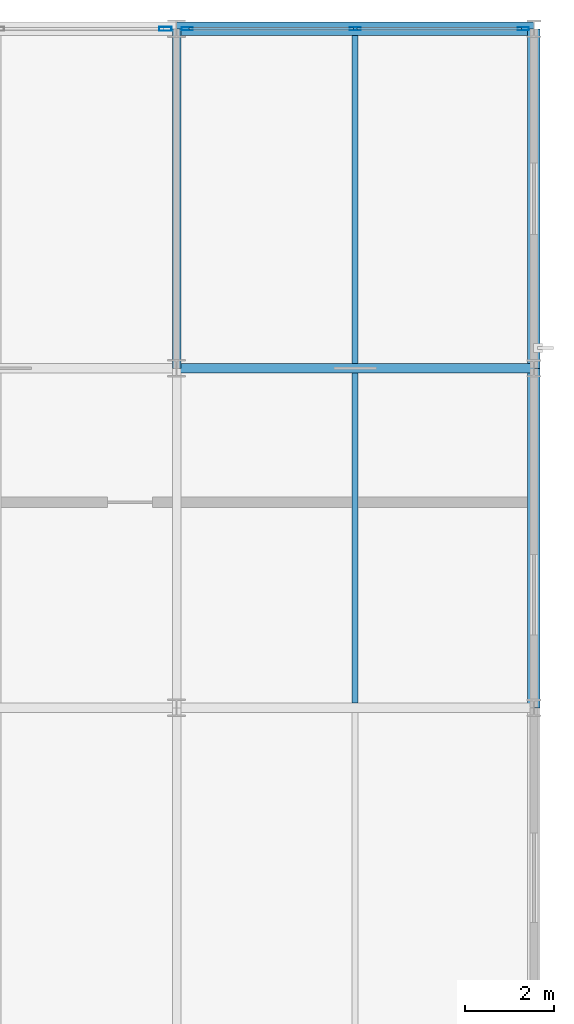
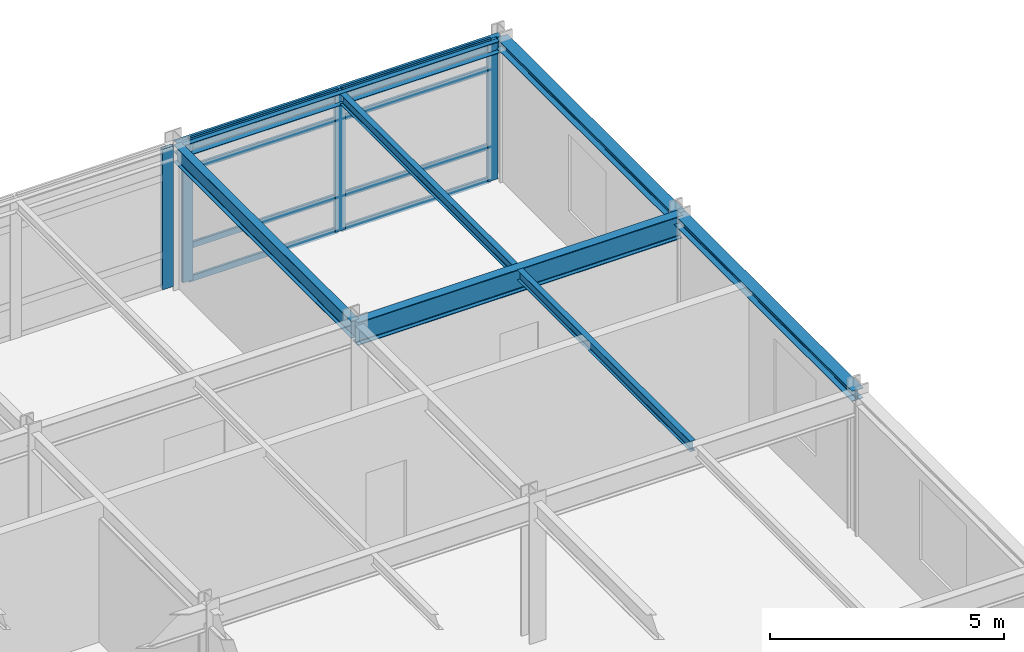
# One storey, part 9 of 18: 12 members, 7 beams, 2 elements without a shape of their own.
"""IFC4 building model written with IfcOpenShell, lengths in metres."""

from ifc_helpers import new_model, si_unit, direction, frame, origin, origin_2d, place, context, subcontext, project, spatial, hollow_rectangle, i_section, extrude, material, layer, layer_set, material_profile, profile_set, type_object, element, aggregate, save


model = new_model("IFC4")

# Units and contexts
model_context = context("Model", 3, precision=1e-05, world=origin(), true_north=direction((0.0, 1.0)))
body_context = subcontext(model_context, "Body", "Model", "MODEL_VIEW")
ifc_project = project(units=[si_unit("LENGTHUNIT", "METRE"), si_unit("AREAUNIT", "SQUARE_METRE"), si_unit("VOLUMEUNIT", "CUBIC_METRE"), si_unit("PLANEANGLEUNIT", "RADIAN"), si_unit("MASSUNIT", "GRAM", prefix="KILO")], contexts=[model_context])

# Site, building, storey
site_placement = place(None, origin())
site = spatial("IfcSite", under=ifc_project, at=site_placement, CompositionType="ELEMENT")
building_placement = place(site_placement, origin())
building = spatial("IfcBuilding", under=site, at=building_placement, Name="Shalkamar Park Central Library", CompositionType="ELEMENT")
storey_placement = place(building_placement, frame((0.0, 0.0, 24.300048828125)))
storey = spatial("IfcBuildingStorey", under=building, at=storey_placement, Name="L06", CompositionType="ELEMENT", Elevation=24.300048828125)

# Beams
ifc_material_1 = material(Name="Steel S355", Category="steel")
ifc_material_profile_1 = material_profile(ifc_material_1, i_section(OverallWidth=0.135009765625, OverallDepth=0.27001953125, WebThickness=0.006591796875, FlangeThickness=0.01025390625, FilletRadius=0.014892578125, at=origin_2d()), Name="IPE 270")
ifc_profile_set_1 = profile_set([ifc_material_profile_1], Name="Steel S355")
beam_type_1 = type_object("IfcBeamType", Name="Composite Floor Joist IPE270", PredefinedType="JOIST", material=ifc_profile_set_1)
beam_1_placement = place(storey_placement, frame((217.0, 278.10791015625, 3.52490234375), z_axis=(0.0, 1.0, 0.0), x_axis=(-1.0, 0.0, 0.0)))
element("IfcBeam", 1, at=beam_1_placement, inside=storey, type_object=beam_type_1, Name="Composite Joist 13/F-1 (L06)", PredefinedType="JOIST", context=body_context, shape_type="SweptSolid", body=[
    extrude(i_section(OverallWidth=0.135009765625, OverallDepth=0.27001953125, WebThickness=0.006591796875, FlangeThickness=0.01025390625, FilletRadius=0.014892578125, at=origin_2d()), origin(), (0.0, 0.0, 1.0), 7.384033203125),
])
beam_2_placement = place(storey_placement, frame((217.0, 285.7080078125, 3.52490234375), z_axis=(0.0, 1.0, 0.0), x_axis=(-1.0, 0.0, 0.0)))
element("IfcBeam", 2, at=beam_2_placement, inside=storey, type_object=beam_type_1, Name="Composite Joist 13/G-1 (L06)", PredefinedType="JOIST", context=body_context, shape_type="SweptSolid", body=[
    extrude(i_section(OverallWidth=0.135009765625, OverallDepth=0.27001953125, WebThickness=0.006591796875, FlangeThickness=0.01025390625, FilletRadius=0.014892578125, at=origin_2d()), origin(), (0.0, 0.0, 1.0), 7.343994140625),
])

# Curtain wall, members
ifc_material_2 = material(Name="Thermally broken aluminium and triple low-e curtain wall", Category="aluminium")
ifc_layer_1 = layer(ifc_material_2, 0.25)
ifc_layer_set_1 = layer_set([ifc_layer_1], Name="UnitisedCurtainWall_68")
curtain_wall_type_1 = type_object("IfcCurtainWallType", Name="Unitised Curtain Wall 68", PredefinedType="USERDEFINED", material=ifc_layer_set_1)
curtain_wall_1_placement = place(storey_placement, origin())
curtain_wall_1 = element("IfcCurtainWall", 3, at=curtain_wall_1_placement, inside=storey, type_object=curtain_wall_type_1, Name="Unitised Curtain Wall CW-L06-095", ObjectType="UNITISED CURTAIN WALL", PredefinedType="USERDEFINED")
ifc_material_3 = material(Name="Aluminium 6060-T66", Category="aluminium")
ifc_material_profile_2 = material_profile(ifc_material_3, hollow_rectangle(XDim=0.074951171875, YDim=0.25, WallThickness=0.00390625, InnerFilletRadius=0.00390625, OuterFilletRadius=0.006103515625, at=origin_2d()), Name="ALU 75x250x4")
ifc_profile_set_2 = profile_set([ifc_material_profile_2], Name="Aluminium 6060-T66")
member_type_1 = type_object("IfcMemberType", Name="Curtain Wall Mullion ALU75x250", PredefinedType="MULLION", material=ifc_profile_set_2)
member_1_placement = place(storey_placement, frame((213.240478515625, 293.199951171875, 0.0), z_axis=(0.0, 0.0, 1.0), x_axis=(0.0, 1.0, 0.0)))
member_1 = element("IfcMember", 4, at=member_1_placement, type_object=member_type_1, Name="CW-68 mullion 1", PredefinedType="MULLION", context=body_context, shape_type="SweptSolid", body=[
    extrude(hollow_rectangle(XDim=0.074951171875, YDim=0.25, WallThickness=0.00390625, InnerFilletRadius=0.00390625, OuterFilletRadius=0.006103515625, at=origin_2d()), origin(), (0.0, 0.0, 1.0), 3.659912109375),
])
member_2_placement = place(storey_placement, frame((217.000732421875, 293.199951171875, 0.0), z_axis=(0.0, 0.0, 1.0), x_axis=(0.0, 1.0, 0.0)))
member_2 = element("IfcMember", 5, at=member_2_placement, type_object=member_type_1, Name="CW-68 mullion 2", PredefinedType="MULLION", context=body_context, shape_type="SweptSolid", body=[
    extrude(hollow_rectangle(XDim=0.074951171875, YDim=0.25, WallThickness=0.00390625, InnerFilletRadius=0.00390625, OuterFilletRadius=0.006103515625, at=origin_2d()), origin(), (0.0, 0.0, 1.0), 3.659912109375),
])
member_3_placement = place(storey_placement, frame((220.760986328125, 293.199951171875, 0.0), z_axis=(0.0, 0.0, 1.0), x_axis=(0.0, 1.0, 0.0)))
member_3 = element("IfcMember", 6, at=member_3_placement, type_object=member_type_1, Name="CW-68 mullion 3", PredefinedType="MULLION", context=body_context, shape_type="SweptSolid", body=[
    extrude(hollow_rectangle(XDim=0.074951171875, YDim=0.25, WallThickness=0.00390625, InnerFilletRadius=0.00390625, OuterFilletRadius=0.006103515625, at=origin_2d()), origin(), (0.0, 0.0, 1.0), 3.659912109375),
])

# Curtain wall, member
ifc_layer_2 = layer(ifc_material_2, 0.280029296875)
ifc_layer_set_2 = layer_set([ifc_layer_2], Name="UnitisedCurtainWall_67")
curtain_wall_type_2 = type_object("IfcCurtainWallType", Name="Unitised Curtain Wall 67", PredefinedType="USERDEFINED", material=ifc_layer_set_2)
curtain_wall_2_placement = place(storey_placement, origin())
curtain_wall_2 = element("IfcCurtainWall", 7, at=curtain_wall_2_placement, inside=storey, type_object=curtain_wall_type_2, Name="Unitised Curtain Wall CW-L06-094", ObjectType="UNITISED CURTAIN WALL", PredefinedType="USERDEFINED")
ifc_material_profile_3 = material_profile(ifc_material_3, hollow_rectangle(XDim=0.090087890625, YDim=0.280029296875, WallThickness=0.0048828125, InnerFilletRadius=0.0048828125, OuterFilletRadius=0.007568359375, at=origin_2d()), Name="ALU 90x280x5")
ifc_profile_set_3 = profile_set([ifc_material_profile_3], Name="Aluminium 6060-T66")
member_type_2 = type_object("IfcMemberType", Name="Curtain Wall Mullion ALU90x280", PredefinedType="MULLION", material=ifc_profile_set_3)
member_4_placement = place(storey_placement, frame((212.751953125, 293.199951171875, 0.0), z_axis=(0.0, 0.0, 1.0), x_axis=(0.0, 1.0, 0.0)))
member_4 = element("IfcMember", 8, at=member_4_placement, type_object=member_type_2, Name="CW-67 mullion 3", PredefinedType="MULLION", context=body_context, shape_type="SweptSolid", body=[
    extrude(hollow_rectangle(XDim=0.090087890625, YDim=0.280029296875, WallThickness=0.0048828125, InnerFilletRadius=0.0048828125, OuterFilletRadius=0.007568359375, at=origin_2d()), origin(), (0.0, 0.0, 1.0), 3.659912109375),
])
aggregate(curtain_wall_2, [member_4])

# Member
ifc_material_profile_4 = material_profile(ifc_material_3, hollow_rectangle(XDim=0.06005859375, YDim=0.159912109375, WallThickness=0.00390625, InnerFilletRadius=0.00390625, OuterFilletRadius=0.006103515625, at=origin_2d()), Name="ALU 60x160x4")
ifc_profile_set_4 = profile_set([ifc_material_profile_4], Name="Aluminium 6060-T66")
member_type_3 = type_object("IfcMemberType", Name="Curtain Wall Transom ALU60x160", PredefinedType="USERDEFINED", material=ifc_profile_set_4)
member_5_placement = place(storey_placement, frame((213.278076171875, 293.199951171875, 0.030029296875), z_axis=(1.0, 0.0, 0.0), x_axis=(0.0, 1.0, 0.0)))
member_5 = element("IfcMember", 9, at=member_5_placement, type_object=member_type_3, Name="CW-68 transom 1.1", ObjectType="TRANSOM", PredefinedType="USERDEFINED", context=body_context, shape_type="SweptSolid", body=[
    extrude(hollow_rectangle(XDim=0.06005859375, YDim=0.159912109375, WallThickness=0.00390625, InnerFilletRadius=0.00390625, OuterFilletRadius=0.006103515625, at=origin_2d()), origin(), (0.0, 0.0, 1.0), 3.68505859375),
])

member_6_placement = place(storey_placement, frame((213.278076171875, 293.199951171875, 0.89990234375), z_axis=(1.0, 0.0, 0.0), x_axis=(0.0, 1.0, 0.0)))
member_6 = element("IfcMember", 10, at=member_6_placement, type_object=member_type_3, Name="CW-68 transom 1.2", ObjectType="TRANSOM", PredefinedType="USERDEFINED", context=body_context, shape_type="SweptSolid", body=[
    extrude(hollow_rectangle(XDim=0.06005859375, YDim=0.159912109375, WallThickness=0.00390625, InnerFilletRadius=0.00390625, OuterFilletRadius=0.006103515625, at=origin_2d()), origin(), (0.0, 0.0, 1.0), 3.68505859375),
])

member_7_placement = place(storey_placement, frame((213.278076171875, 293.199951171875, 2.909912109375), z_axis=(1.0, 0.0, 0.0), x_axis=(0.0, 1.0, 0.0)))
member_7 = element("IfcMember", 11, at=member_7_placement, type_object=member_type_3, Name="CW-68 transom 1.3", ObjectType="TRANSOM", PredefinedType="USERDEFINED", context=body_context, shape_type="SweptSolid", body=[
    extrude(hollow_rectangle(XDim=0.06005859375, YDim=0.159912109375, WallThickness=0.00390625, InnerFilletRadius=0.00390625, OuterFilletRadius=0.006103515625, at=origin_2d()), origin(), (0.0, 0.0, 1.0), 3.68505859375),
])

member_8_placement = place(storey_placement, frame((213.278076171875, 293.199951171875, 3.6298828125), z_axis=(1.0, 0.0, 0.0), x_axis=(0.0, 1.0, 0.0)))
member_8 = element("IfcMember", 12, at=member_8_placement, type_object=member_type_3, Name="CW-68 transom 1.4", ObjectType="TRANSOM", PredefinedType="USERDEFINED", context=body_context, shape_type="SweptSolid", body=[
    extrude(hollow_rectangle(XDim=0.06005859375, YDim=0.159912109375, WallThickness=0.00390625, InnerFilletRadius=0.00390625, OuterFilletRadius=0.006103515625, at=origin_2d()), origin(), (0.0, 0.0, 1.0), 3.68505859375),
])

member_9_placement = place(storey_placement, frame((217.038330078125, 293.199951171875, 0.030029296875), z_axis=(1.0, 0.0, 0.0), x_axis=(0.0, 1.0, 0.0)))
member_9 = element("IfcMember", 13, at=member_9_placement, type_object=member_type_3, Name="CW-68 transom 2.1", ObjectType="TRANSOM", PredefinedType="USERDEFINED", context=body_context, shape_type="SweptSolid", body=[
    extrude(hollow_rectangle(XDim=0.06005859375, YDim=0.159912109375, WallThickness=0.00390625, InnerFilletRadius=0.00390625, OuterFilletRadius=0.006103515625, at=origin_2d()), origin(), (0.0, 0.0, 1.0), 3.68505859375),
])

member_10_placement = place(storey_placement, frame((217.038330078125, 293.199951171875, 0.89990234375), z_axis=(1.0, 0.0, 0.0), x_axis=(0.0, 1.0, 0.0)))
member_10 = element("IfcMember", 14, at=member_10_placement, type_object=member_type_3, Name="CW-68 transom 2.2", ObjectType="TRANSOM", PredefinedType="USERDEFINED", context=body_context, shape_type="SweptSolid", body=[
    extrude(hollow_rectangle(XDim=0.06005859375, YDim=0.159912109375, WallThickness=0.00390625, InnerFilletRadius=0.00390625, OuterFilletRadius=0.006103515625, at=origin_2d()), origin(), (0.0, 0.0, 1.0), 3.68505859375),
])

member_11_placement = place(storey_placement, frame((217.038330078125, 293.199951171875, 2.909912109375), z_axis=(1.0, 0.0, 0.0), x_axis=(0.0, 1.0, 0.0)))
member_11 = element("IfcMember", 15, at=member_11_placement, type_object=member_type_3, Name="CW-68 transom 2.3", ObjectType="TRANSOM", PredefinedType="USERDEFINED", context=body_context, shape_type="SweptSolid", body=[
    extrude(hollow_rectangle(XDim=0.06005859375, YDim=0.159912109375, WallThickness=0.00390625, InnerFilletRadius=0.00390625, OuterFilletRadius=0.006103515625, at=origin_2d()), origin(), (0.0, 0.0, 1.0), 3.68505859375),
])

member_12_placement = place(storey_placement, frame((217.038330078125, 293.199951171875, 3.6298828125), z_axis=(1.0, 0.0, 0.0), x_axis=(0.0, 1.0, 0.0)))
member_12 = element("IfcMember", 16, at=member_12_placement, type_object=member_type_3, Name="CW-68 transom 2.4", ObjectType="TRANSOM", PredefinedType="USERDEFINED", context=body_context, shape_type="SweptSolid", body=[
    extrude(hollow_rectangle(XDim=0.06005859375, YDim=0.159912109375, WallThickness=0.00390625, InnerFilletRadius=0.00390625, OuterFilletRadius=0.006103515625, at=origin_2d()), origin(), (0.0, 0.0, 1.0), 3.68505859375),
])

aggregate(curtain_wall_1, [member_1, member_2, member_3, member_5, member_6, member_7, member_8, member_9, member_10, member_11, member_12])

# Beams
ifc_material_profile_5 = material_profile(ifc_material_1, i_section(OverallWidth=0.280029296875, OverallDepth=0.27001953125, WebThickness=0.008056640625, FlangeThickness=0.012939453125, FilletRadius=0.02392578125, at=origin_2d()), Name="HEA 280")
ifc_profile_set_5 = profile_set([ifc_material_profile_5], Name="Steel S355")
beam_type_2 = type_object("IfcBeamType", Name="Perimeter Spandrel Beam HEA280", PredefinedType="SPANDREL", material=ifc_profile_set_5)
beam_3_placement = place(storey_placement, frame((221.0, 278.0, 3.52490234375), z_axis=(0.0, 1.0, 0.0), x_axis=(-1.0, 0.0, 0.0)))
element("IfcBeam", 17, at=beam_3_placement, inside=storey, type_object=beam_type_2, Name="Beam 14:F-G (L06)", PredefinedType="SPANDREL", context=body_context, shape_type="SweptSolid", body=[
    extrude(i_section(OverallWidth=0.280029296875, OverallDepth=0.27001953125, WebThickness=0.008056640625, FlangeThickness=0.012939453125, FilletRadius=0.02392578125, at=origin_2d()), origin(), (0.0, 0.0, 1.0), 7.60009765625),
])
beam_4_placement = place(storey_placement, frame((221.0, 285.60009765625, 3.52490234375), z_axis=(0.0, 1.0, 0.0), x_axis=(-1.0, 0.0, 0.0)))
element("IfcBeam", 18, at=beam_4_placement, inside=storey, type_object=beam_type_2, Name="Beam 14:G-H (L06)", PredefinedType="SPANDREL", context=body_context, shape_type="SweptSolid", body=[
    extrude(i_section(OverallWidth=0.280029296875, OverallDepth=0.27001953125, WebThickness=0.008056640625, FlangeThickness=0.012939453125, FilletRadius=0.02392578125, at=origin_2d()), origin(), (0.0, 0.0, 1.0), 7.599853515625),
])
ifc_material_profile_6 = material_profile(ifc_material_1, i_section(OverallWidth=0.300048828125, OverallDepth=0.31005859375, WebThickness=0.009033203125, FlangeThickness=0.015380859375, FilletRadius=0.027099609375, at=origin_2d()), Name="HEA 320")
ifc_profile_set_6 = profile_set([ifc_material_profile_6], Name="Steel S355")
beam_type_3 = type_object("IfcBeamType", Name="Perimeter Spandrel Beam HEA320", PredefinedType="SPANDREL", material=ifc_profile_set_6)
beam_5_placement = place(storey_placement, frame((213.0, 293.199951171875, 3.5048828125), z_axis=(1.0, 0.0, 0.0), x_axis=(0.0, 1.0, 0.0)))
element("IfcBeam", 19, at=beam_5_placement, inside=storey, type_object=beam_type_3, Name="Beam H:13-14 (L06)", PredefinedType="SPANDREL", context=body_context, shape_type="SweptSolid", body=[
    extrude(i_section(OverallWidth=0.300048828125, OverallDepth=0.31005859375, WebThickness=0.009033203125, FlangeThickness=0.015380859375, FilletRadius=0.027099609375, at=origin_2d()), origin(), (0.0, 0.0, 1.0), 8.0),
])
ifc_material_profile_7 = material_profile(ifc_material_1, i_section(OverallWidth=0.18994140625, OverallDepth=0.449951171875, WebThickness=0.009521484375, FlangeThickness=0.0146484375, FilletRadius=0.02099609375, at=origin_2d()), Name="IPE 450")
ifc_profile_set_7 = profile_set([ifc_material_profile_7], Name="Steel S355")
beam_type_4 = type_object("IfcBeamType", Name="Primary Girder IPE450", PredefinedType="BEAM", material=ifc_profile_set_7)
beam_6_placement = place(storey_placement, frame((213.0, 285.60009765625, 3.43505859375), z_axis=(0.0, 1.0, 0.0), x_axis=(-1.0, 0.0, 0.0)))
element("IfcBeam", 20, at=beam_6_placement, inside=storey, type_object=beam_type_4, Name="Beam 13:G-H (L06)", PredefinedType="BEAM", context=body_context, shape_type="SweptSolid", body=[
    extrude(i_section(OverallWidth=0.18994140625, OverallDepth=0.449951171875, WebThickness=0.009521484375, FlangeThickness=0.0146484375, FilletRadius=0.02099609375, at=origin_2d()), origin(), (0.0, 0.0, 1.0), 7.599853515625),
])
ifc_material_profile_8 = material_profile(ifc_material_1, i_section(OverallWidth=0.219970703125, OverallDepth=0.60009765625, WebThickness=0.011962890625, FlangeThickness=0.01904296875, FilletRadius=0.02392578125, at=origin_2d()), Name="IPE 600")
ifc_profile_set_8 = profile_set([ifc_material_profile_8], Name="Steel S355")
beam_type_5 = type_object("IfcBeamType", Name="Primary Girder IPE600", PredefinedType="BEAM", material=ifc_profile_set_8)
beam_7_placement = place(storey_placement, frame((213.0, 285.60009765625, 3.35986328125), z_axis=(1.0, 0.0, 0.0), x_axis=(0.0, 1.0, 0.0)))
element("IfcBeam", 21, at=beam_7_placement, inside=storey, type_object=beam_type_5, Name="Beam G:13-14 (L06)", PredefinedType="BEAM", context=body_context, shape_type="SweptSolid", body=[
    extrude(i_section(OverallWidth=0.219970703125, OverallDepth=0.60009765625, WebThickness=0.011962890625, FlangeThickness=0.01904296875, FilletRadius=0.02392578125, at=origin_2d()), origin(), (0.0, 0.0, 1.0), 8.0),
])

save(model, "model.ifc")
